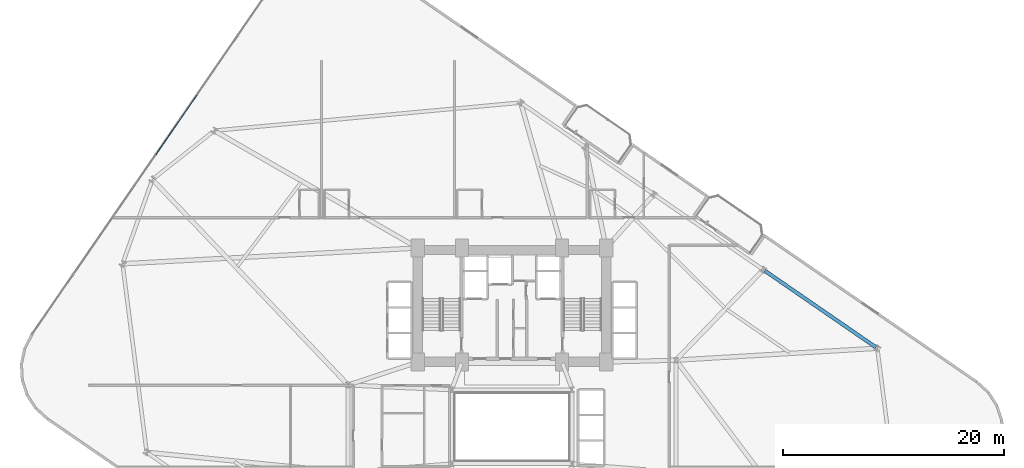
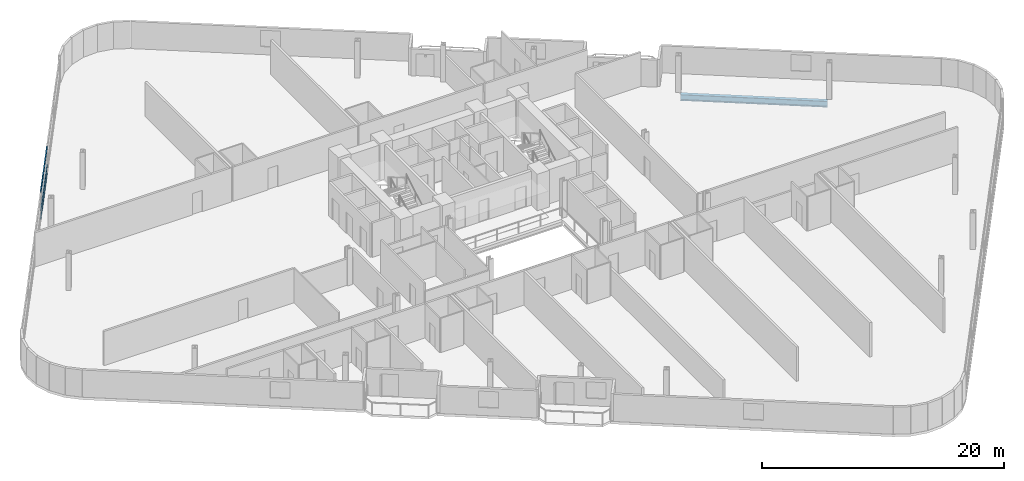
# One storey, part 12 of 25: 3 members, 1 beam, 1 element without a shape of its own.
"""IFC4 building model written with IfcOpenShell, lengths in metres."""

import ifcopenshell
import ifcopenshell.guid

model = None  # the IFC model being written
_history = None  # IfcOwnerHistory: only IFC2X3 demands one
_inside = {}  # id of a spatial element -> (the spatial element, [elements in it])
_under = {}  # id of a project, library or spatial element -> (it, [spatial elements below it])
_declared = {}  # id of a project -> (the project, [libraries it declares])
_typed = {}  # id of a type object -> (the type object, [elements of that type])
_made_of = {}  # id of a material, layer set ... -> (it, [elements and type objects made of it])


def new_model(schema):
    """Start an empty IFC model of exactly this schema.

    Asked for "IFC4X3", IfcOpenShell would pick the latest addendum, in which some entities
    have other attributes; the version numbers below select the first issue.
    IFC2X3 requires an IfcOwnerHistory on every rooted entity: one is made here for all.
    """
    global model, _history
    if schema == "IFC4X3":
        model = ifcopenshell.file(schema_version=(4, 3, 0, 0))
    else:
        model = ifcopenshell.file(schema=schema)
    _inside.clear()
    _under.clear()
    _declared.clear()
    _typed.clear()
    _made_of.clear()
    _history = None
    if model.schema == "IFC2X3":
        org = make("IfcOrganization", Name="unknown")
        user = make(
            "IfcPersonAndOrganization",
            ThePerson=make("IfcPerson", FamilyName="unknown"),
            TheOrganization=org,
        )
        app = make(
            "IfcApplication",
            ApplicationDeveloper=org,
            Version="unknown",
            ApplicationFullName="unknown",
            ApplicationIdentifier="unknown",
        )
        _history = make(
            "IfcOwnerHistory",
            OwningUser=user,
            OwningApplication=app,
            ChangeAction="ADDED",
            CreationDate=0,
        )
    return model


def make(cls, **values):
    """One entity of the class cls with the attributes given. An attribute that is None is left unset."""
    return model.create_entity(
        cls, **{name: value for name, value in values.items() if value is not None}
    )


def rooted(cls, **values):
    """An entity with a GlobalId (a new one), such as an element, a storey or a relation."""
    return make(cls, GlobalId=ifcopenshell.guid.new(), OwnerHistory=_history, **values)


def si_unit(unit_type, name, prefix=None):
    """IfcSIUnit, for example si_unit("LENGTHUNIT", "METRE", prefix="MILLI")."""
    return make("IfcSIUnit", UnitType=unit_type, Prefix=prefix, Name=name)


def assignment(units):
    """IfcUnitAssignment: the units of a project."""
    return None if units is None else make("IfcUnitAssignment", Units=units)


def point(xyz):
    """IfcCartesianPoint."""
    return None if xyz is None else make("IfcCartesianPoint", Coordinates=xyz)


def direction(xyz):
    """IfcDirection."""
    return None if xyz is None else make("IfcDirection", DirectionRatios=xyz)


def frame(location, z_axis=None, x_axis=None):
    """IfcAxis2Placement3D, a coordinate frame: its origin and axes. An axis left out is left unset."""
    return make(
        "IfcAxis2Placement3D",
        Location=point(location),
        Axis=direction(z_axis),
        RefDirection=direction(x_axis),
    )


def frame_2d(location, x_axis=None):
    """IfcAxis2Placement2D, a coordinate frame in the plane: its origin and x axis."""
    return make(
        "IfcAxis2Placement2D", Location=point(location), RefDirection=direction(x_axis)
    )


def origin():
    """The frame at (0, 0, 0) with its axes left unset."""
    return frame((0.0, 0.0, 0.0))


def origin_2d():
    """The frame at (0, 0) in the plane with its x axis left unset."""
    return frame_2d((0.0, 0.0))


def place(relative_to, where):
    """IfcLocalPlacement: puts the frame where relative to a parent placement (None: the world)."""
    return make(
        "IfcLocalPlacement", PlacementRelTo=relative_to, RelativePlacement=where
    )


def context(
    kind, dimensions, precision=None, world=None, true_north=None, identifier=None
):
    """IfcGeometricRepresentationContext, for example the 3D "Model" context."""
    return make(
        "IfcGeometricRepresentationContext",
        ContextIdentifier=identifier,
        ContextType=kind,
        CoordinateSpaceDimension=dimensions,
        Precision=precision,
        WorldCoordinateSystem=world,
        TrueNorth=true_north,
    )


def subcontext(parent, identifier, kind, view, scale=None):
    """IfcGeometricRepresentationSubContext, for example "Body" below "Model"."""
    return make(
        "IfcGeometricRepresentationSubContext",
        ContextIdentifier=identifier,
        ContextType=kind,
        ParentContext=parent,
        TargetScale=scale,
        TargetView=view,
    )


def project(units=None, contexts=None):
    """IfcProject with its units and contexts."""
    return rooted(
        "IfcProject",
        Name="project",
        RepresentationContexts=contexts,
        UnitsInContext=assignment(units),
    )


def spatial(cls, under=None, at=None, **own):
    """A site, building, storey or space (cls), placed at a placement, below another one or the project."""
    s = rooted(cls, ObjectPlacement=at, **own)
    if under is not None:
        _under.setdefault(under.id(), (under, []))[1].append(s)
    return s


def profile(cls, at=None, kind="AREA", **sizes):
    """A parametric profile (cls). Its sizes go by their IFC names, for example OverallWidth=200.0."""
    return make(cls, ProfileType=kind, Position=at, **sizes)


def hollow_rectangle(**sizes):
    """IfcRectangleHollowProfileDef."""
    return profile("IfcRectangleHollowProfileDef", **sizes)


def i_section(**sizes):
    """IfcIShapeProfileDef."""
    return profile("IfcIShapeProfileDef", **sizes)


def extrude(swept, where, along, depth):
    """IfcExtrudedAreaSolid: the profile swept, set in the frame where, extruded along a direction by depth."""
    return make(
        "IfcExtrudedAreaSolid",
        SweptArea=swept,
        Position=where,
        ExtrudedDirection=direction(along),
        Depth=depth,
    )


def shape(context_of_items, identifier, shape_type, items):
    """IfcShapeRepresentation: the items that make up one representation, for example the "Body"."""
    return make(
        "IfcShapeRepresentation",
        ContextOfItems=context_of_items,
        RepresentationIdentifier=identifier,
        RepresentationType=shape_type,
        Items=items,
    )


def material(Name=None, Category=None):
    """IfcMaterial."""
    return make("IfcMaterial", Name=Name, Category=Category)


def layer(
    of_material, thickness, ventilated=None, Name=None, Category=None, Priority=None
):
    """IfcMaterialLayer: one layer of a wall or slab, of a material (None: an air gap)."""
    return make(
        "IfcMaterialLayer",
        Material=of_material,
        LayerThickness=thickness,
        IsVentilated=ventilated,
        Name=Name,
        Category=Category,
        Priority=Priority,
    )


def layer_set(layers, Name=None):
    """IfcMaterialLayerSet."""
    return make("IfcMaterialLayerSet", MaterialLayers=layers, LayerSetName=Name)


def material_profile(
    of_material, cross_section, Name=None, Category=None, Priority=None
):
    """IfcMaterialProfile: a cross section and its material."""
    return make(
        "IfcMaterialProfile",
        Name=Name,
        Material=of_material,
        Profile=cross_section,
        Priority=Priority,
        Category=Category,
    )


def profile_set(profiles, Name=None, composite=None):
    """IfcMaterialProfileSet."""
    return make(
        "IfcMaterialProfileSet",
        Name=Name,
        MaterialProfiles=profiles,
        CompositeProfile=composite,
    )


def made_of(thing, what):
    """Note that an element or type object is made of a material, layer set ...; save() writes the relation."""
    if what is not None:
        _made_of.setdefault(what.id(), (what, []))[1].append(thing)
    return thing


def type_object(cls, material=None, **own):
    """A type object (cls), such as IfcWallType, which elements share."""
    return made_of(rooted(cls, **own), material)


def element(
    cls,
    number,
    at=None,
    inside=None,
    cuts=None,
    type_object=None,
    material=None,
    context=None,
    identifier="Body",
    shape_type=None,
    held_by="IfcProductDefinitionShape",
    body=None,
    shapes=None,
    **own,
):
    """One element of the class cls, such as IfcWall. Its Tag is "e" and its number.

    at: its placement. inside: the storey or other place that contains it. cuts: it is an
    opening in that element (IfcRelVoidsElement). A single representation is given by context,
    identifier, shape_type and body (its items); several are given by shapes. held_by: the class
    of the entity that holds the representations. save() writes the other relations.
    """
    e = rooted(cls, Tag="e%d" % number, ObjectPlacement=at, **own)
    if body is not None:
        shapes = [shape(context, identifier, shape_type, body)]
    if shapes is not None:
        e.Representation = make(held_by, Representations=shapes)
    if inside is not None:
        _inside.setdefault(inside.id(), (inside, []))[1].append(e)
    if cuts is not None:
        rooted(
            "IfcRelVoidsElement", RelatingBuildingElement=cuts, RelatedOpeningElement=e
        )
    if type_object is not None:
        _typed.setdefault(type_object.id(), (type_object, []))[1].append(e)
    return made_of(e, material)


def aggregate(whole, parts):
    """IfcRelAggregates: a whole, such as a stair, and the parts it consists of."""
    return rooted("IfcRelAggregates", RelatingObject=whole, RelatedObjects=parts)


def save(model, path):
    """Write the relations noted so far, then the file.

    IfcRelAggregates (storeys below a building ...), IfcRelContainedInSpatialStructure (elements
    in a storey), IfcRelDefinesByType, IfcRelAssociatesMaterial and IfcRelDeclares: one each for
    every whole, place, type object, material and project.
    """
    for whole, parts in _under.values():
        aggregate(whole, parts)
    for where, things in _inside.values():
        rooted(
            "IfcRelContainedInSpatialStructure",
            RelatedElements=things,
            RelatingStructure=where,
        )
    for kind, things in _typed.values():
        rooted("IfcRelDefinesByType", RelatedObjects=things, RelatingType=kind)
    for what, things in _made_of.values():
        rooted("IfcRelAssociatesMaterial", RelatedObjects=things, RelatingMaterial=what)
    for by, libraries in _declared.values():
        rooted("IfcRelDeclares", RelatingContext=by, RelatedDefinitions=libraries)
    model.write(path)


model = new_model("IFC4")

# Units and contexts
model_context = context("Model", 3, precision=1e-05, world=origin(), true_north=direction((0.0, 1.0)))
body_context = subcontext(model_context, "Body", "Model", "MODEL_VIEW")
ifc_project = project(units=[si_unit("LENGTHUNIT", "METRE"), si_unit("AREAUNIT", "SQUARE_METRE"), si_unit("VOLUMEUNIT", "CUBIC_METRE"), si_unit("PLANEANGLEUNIT", "RADIAN"), si_unit("MASSUNIT", "GRAM", prefix="KILO")], contexts=[model_context])

# Site, building, storey
site_placement = place(None, origin())
site = spatial("IfcSite", under=ifc_project, at=site_placement, CompositionType="ELEMENT")
building_placement = place(site_placement, origin())
building = spatial("IfcBuilding", under=site, at=building_placement, Name="Varnelok Gate Tower", CompositionType="ELEMENT")
storey_placement = place(building_placement, frame((0.0, 0.0, 56.60009765625)))
storey = spatial("IfcBuildingStorey", under=building, at=storey_placement, Name="L13", CompositionType="ELEMENT", Elevation=56.60009765625)

# Beam
ifc_material_1 = material(Name="Structural Steel ASTM A992 Grade 50", Category="steel")
ifc_material_profile_1 = material_profile(ifc_material_1, i_section(OverallWidth=0.323974609375, OverallDepth=0.611083984375, WebThickness=0.0126953125, FlangeThickness=0.01904296875, FilletRadius=0.01806640625, at=origin_2d()), Name="W24X104")
ifc_profile_set_1 = profile_set([ifc_material_profile_1], Name="Structural Steel ASTM A992 Grade 50")
beam_type = type_object("IfcBeamType", Name="BM-SPN-W24X104", PredefinedType="SPANDREL", material=ifc_profile_set_1)
beam_placement = place(storey_placement, frame((72.06201171875, 30.08251953125, -0.5556640625), z_axis=(-0.823543541425, 0.567253061144, 0.0), x_axis=(-0.567253061144, -0.823543541425, 0.0)))
element("IfcBeam", 1, at=beam_placement, inside=storey, type_object=beam_type, Name="L13 Perimeter Spandrel Beam 9", PredefinedType="SPANDREL", context=body_context, shape_type="SweptSolid", body=[
    extrude(i_section(OverallWidth=0.323974609375, OverallDepth=0.611083984375, WebThickness=0.0126953125, FlangeThickness=0.01904296875, FilletRadius=0.01806640625, at=origin_2d()), origin(), (0.0, 0.0, 1.0), 12.199951171875),
])

# Curtain wall, members
ifc_material_2 = material(Name="Anodized Aluminum Alloy 6063-T6", Category="aluminium")
ifc_layer = layer(ifc_material_2, 0.179931640625)
ifc_layer_set = layer_set([ifc_layer], Name="Anodized Aluminum Alloy 6063-T6")
curtain_wall_type = type_object("IfcCurtainWallType", Name="CW3-HOTEL-VISION", PredefinedType="USERDEFINED", material=ifc_layer_set)
curtain_wall_placement = place(storey_placement, origin())
curtain_wall = element("IfcCurtainWall", 2, at=curtain_wall_placement, inside=storey, type_object=curtain_wall_type, Name="L13 West End Vision Curtain Wall", ObjectType="UNITISED CURTAIN WALL", PredefinedType="USERDEFINED")
ifc_material_profile_2 = material_profile(ifc_material_2, hollow_rectangle(XDim=0.06494140625, YDim=0.159912109375, WallThickness=0.00390625, at=origin_2d()), Name="ALU160X65X4")
ifc_profile_set_2 = profile_set([ifc_material_profile_2], Name="Anodized Aluminum Alloy 6063-T6")
member_type = type_object("IfcMemberType", Name="CW-TRAN-160", PredefinedType="USERDEFINED", material=ifc_profile_set_2)
member_1_placement = place(storey_placement, frame((7.05126953125, 47.484375, 0.032470703125), z_axis=(0.567279204469, 0.823525533409, 0.0), x_axis=(-0.823525533409, 0.567279204469, 0.0)))
member_1 = element("IfcMember", 3, at=member_1_placement, type_object=member_type, Name="CW3 transom 4.1", ObjectType="TRANSOM", PredefinedType="USERDEFINED", context=body_context, shape_type="SweptSolid", body=[
    extrude(hollow_rectangle(XDim=0.06494140625, YDim=0.159912109375, WallThickness=0.00390625, at=origin_2d()), origin(), (0.0, 0.0, 1.0), 6.501708984375),
])
member_2_placement = place(storey_placement, frame((7.05126953125, 47.484375, 0.89990234375), z_axis=(0.567279204469, 0.823525533409, 0.0), x_axis=(-0.823525533409, 0.567279204469, 0.0)))
member_2 = element("IfcMember", 4, at=member_2_placement, type_object=member_type, Name="CW3 transom 4.2", ObjectType="TRANSOM", PredefinedType="USERDEFINED", context=body_context, shape_type="SweptSolid", body=[
    extrude(hollow_rectangle(XDim=0.06494140625, YDim=0.159912109375, WallThickness=0.00390625, at=origin_2d()), origin(), (0.0, 0.0, 1.0), 6.501708984375),
])
member_3_placement = place(storey_placement, frame((7.05126953125, 47.484375, 2.697509765625), z_axis=(0.567279204469, 0.823525533409, 0.0), x_axis=(-0.823525533409, 0.567279204469, 0.0)))
member_3 = element("IfcMember", 5, at=member_3_placement, type_object=member_type, Name="CW3 transom 4.3", ObjectType="TRANSOM", PredefinedType="USERDEFINED", context=body_context, shape_type="SweptSolid", body=[
    extrude(hollow_rectangle(XDim=0.06494140625, YDim=0.159912109375, WallThickness=0.00390625, at=origin_2d()), origin(), (0.0, 0.0, 1.0), 6.501708984375),
])
aggregate(curtain_wall, [member_1, member_2, member_3])

save(model, "model.ifc")
